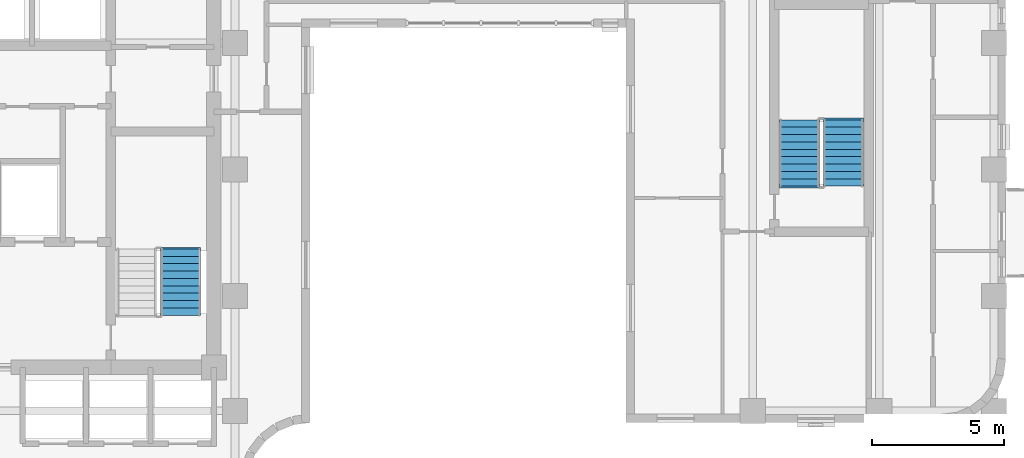
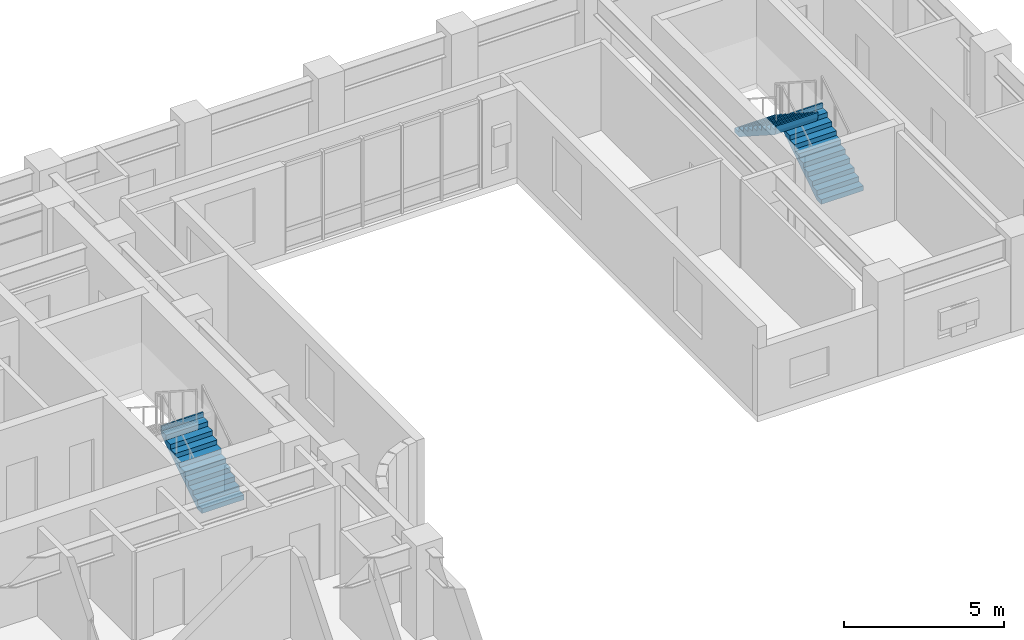
# One storey, part 8 of 11: 3 stair flights, 2 elements without a shape of their own.
"""IFC4 building model written with IfcOpenShell, lengths in metres."""

from ifc_helpers import new_model, si_unit, direction, frame, origin, place, context, subcontext, project, spatial, polyline, outline, extrude, material, type_object, element, aggregate, save


model = new_model("IFC4")

# Units and contexts
model_context = context("Model", 3, precision=1e-05, world=origin(), true_north=direction((0.0, 1.0)))
body_context = subcontext(model_context, "Body", "Model", "MODEL_VIEW")
ifc_project = project(units=[si_unit("LENGTHUNIT", "METRE"), si_unit("AREAUNIT", "SQUARE_METRE"), si_unit("VOLUMEUNIT", "CUBIC_METRE"), si_unit("PLANEANGLEUNIT", "RADIAN"), si_unit("MASSUNIT", "GRAM", prefix="KILO")], contexts=[model_context])

# Site, building, storey
site_placement = place(None, origin())
site = spatial("IfcSite", under=ifc_project, at=site_placement, CompositionType="ELEMENT")
building_placement = place(site_placement, origin())
building = spatial("IfcBuilding", under=site, at=building_placement, Name="Orvandelia Arch Residences", CompositionType="ELEMENT")
storey_placement = place(building_placement, frame((0.0, 0.0, 157.60009765625)))
storey = spatial("IfcBuildingStorey", under=building, at=storey_placement, Name="L41", CompositionType="ELEMENT", Elevation=157.60009765625)

# Stair, stair flight
ifc_material = material(Name="Concrete C40/50", Category="concrete")
stair_type = type_object("IfcStairType", Name="STAIR-RC-DOGLEG", PredefinedType="HALF_TURN_STAIR", material=ifc_material)
stair_1_placement = place(storey_placement, origin())
stair_1 = element("IfcStair", 1, at=stair_1_placement, inside=storey, type_object=stair_type, Name="L41 Protected Exit Stair ST-2", PredefinedType="HALF_TURN_STAIR")
stair_flight_type = type_object("IfcStairFlightType", Name="STFLT-RC-1520", PredefinedType="STRAIGHT", material=ifc_material)
stair_flight_1_placement = place(storey_placement, frame((21.489990234375, 32.8701171875, 0.0), z_axis=(0.0, 0.0, 1.0), x_axis=(0.0, 1.0, 0.0)))
stair_flight_1 = element("IfcStairFlight", 2, at=stair_flight_1_placement, type_object=stair_flight_type, Name="ST-2 flight 1", NumberOfRisers=10, NumberOfTreads=9, PredefinedType="STRAIGHT", RiserHeight=0.18, TreadLength=0.28, context=body_context, shape_type="SweptSolid", body=[
    extrude(outline(polyline([(0.0, 0.0), (0.0, 0.179931640625), (0.280029296875, 0.179931640625), (0.280029296875, 0.360107421875), (0.56005859375, 0.360107421875), (0.56005859375, 0.5400390625), (0.840087890625, 0.5400390625), (0.840087890625, 0.719970703125), (1.1201171875, 0.719970703125), (1.1201171875, 0.89990234375), (1.39990234375, 0.89990234375), (1.39990234375, 1.080078125), (1.679931640625, 1.080078125), (1.679931640625, 1.260009765625), (1.9599609375, 1.260009765625), (1.9599609375, 1.43994140625), (2.239990234375, 1.43994140625), (2.239990234375, 1.6201171875), (2.52001953125, 1.6201171875), (2.52001953125, 1.800048828125), (2.580078125, 1.800048828125), (2.580078125, 1.6201171875), (2.52001953125, 1.44189453125), (0.277099609375, 0.0), (0.0, 0.0)])), frame((0.0, 0.760009765625, 0.0), z_axis=(0.0, -1.0, 0.0), x_axis=(1.0, 0.0, 0.0)), (0.0, 0.0, 1.0), 1.52001953125),
])
aggregate(stair_1, [stair_flight_1])

# Stair, stair flights
stair_2_placement = place(storey_placement, origin())
stair_2 = element("IfcStair", 3, at=stair_2_placement, inside=storey, type_object=stair_type, Name="L41 East Wing Exit Stair ST-3", PredefinedType="HALF_TURN_STAIR")
stair_flight_2_placement = place(storey_placement, frame((46.639892578125, 37.77001953125, 0.0), z_axis=(0.0, 0.0, 1.0), x_axis=(0.0, 1.0, 0.0)))
stair_flight_2 = element("IfcStairFlight", 4, at=stair_flight_2_placement, type_object=stair_flight_type, Name="ST-3 flight 1", NumberOfRisers=10, NumberOfTreads=9, PredefinedType="STRAIGHT", RiserHeight=0.18, TreadLength=0.28, context=body_context, shape_type="SweptSolid", body=[
    extrude(outline(polyline([(0.0, 0.0), (0.0, 0.179931640625), (0.280029296875, 0.179931640625), (0.280029296875, 0.360107421875), (0.56005859375, 0.360107421875), (0.56005859375, 0.5400390625), (0.840087890625, 0.5400390625), (0.840087890625, 0.719970703125), (1.1201171875, 0.719970703125), (1.1201171875, 0.89990234375), (1.39990234375, 0.89990234375), (1.39990234375, 1.080078125), (1.679931640625, 1.080078125), (1.679931640625, 1.260009765625), (1.9599609375, 1.260009765625), (1.9599609375, 1.43994140625), (2.239990234375, 1.43994140625), (2.239990234375, 1.6201171875), (2.52001953125, 1.6201171875), (2.52001953125, 1.800048828125), (2.580078125, 1.800048828125), (2.580078125, 1.6201171875), (2.52001953125, 1.44189453125), (0.277099609375, 0.0), (0.0, 0.0)])), frame((0.0, 0.760009765625, 0.0), z_axis=(0.0, -1.0, 0.0), x_axis=(1.0, 0.0, 0.0)), (0.0, 0.0, 1.0), 1.52001953125),
])
stair_flight_3_placement = place(storey_placement, frame((44.969970703125, 40.2900390625, 1.7998046875), z_axis=(0.0, 0.0, 1.0), x_axis=(0.0, -1.0, 0.0)))
stair_flight_3 = element("IfcStairFlight", 5, at=stair_flight_3_placement, type_object=stair_flight_type, Name="ST-3 flight 2", NumberOfRisers=10, NumberOfTreads=9, PredefinedType="STRAIGHT", RiserHeight=0.18, TreadLength=0.28, context=body_context, shape_type="SweptSolid", body=[
    extrude(outline(polyline([(0.0, 0.0), (0.0, 0.179931640625), (0.280029296875, 0.179931640625), (0.280029296875, 0.360107421875), (0.56005859375, 0.360107421875), (0.56005859375, 0.5400390625), (0.840087890625, 0.5400390625), (0.840087890625, 0.719970703125), (1.1201171875, 0.719970703125), (1.1201171875, 0.89990234375), (1.39990234375, 0.89990234375), (1.39990234375, 1.080078125), (1.679931640625, 1.080078125), (1.679931640625, 1.260009765625), (1.9599609375, 1.260009765625), (1.9599609375, 1.43994140625), (2.239990234375, 1.43994140625), (2.239990234375, 1.6201171875), (2.52001953125, 1.6201171875), (2.52001953125, 1.800048828125), (2.580078125, 1.800048828125), (2.580078125, 1.6201171875), (2.52001953125, 1.44189453125), (0.277099609375, 0.0), (0.0, 0.0)])), frame((0.0, 0.760009765625, 0.0), z_axis=(0.0, -1.0, 0.0), x_axis=(1.0, 0.0, 0.0)), (0.0, 0.0, 1.0), 1.52001953125),
])
aggregate(stair_2, [stair_flight_2, stair_flight_3])

save(model, "model.ifc")
